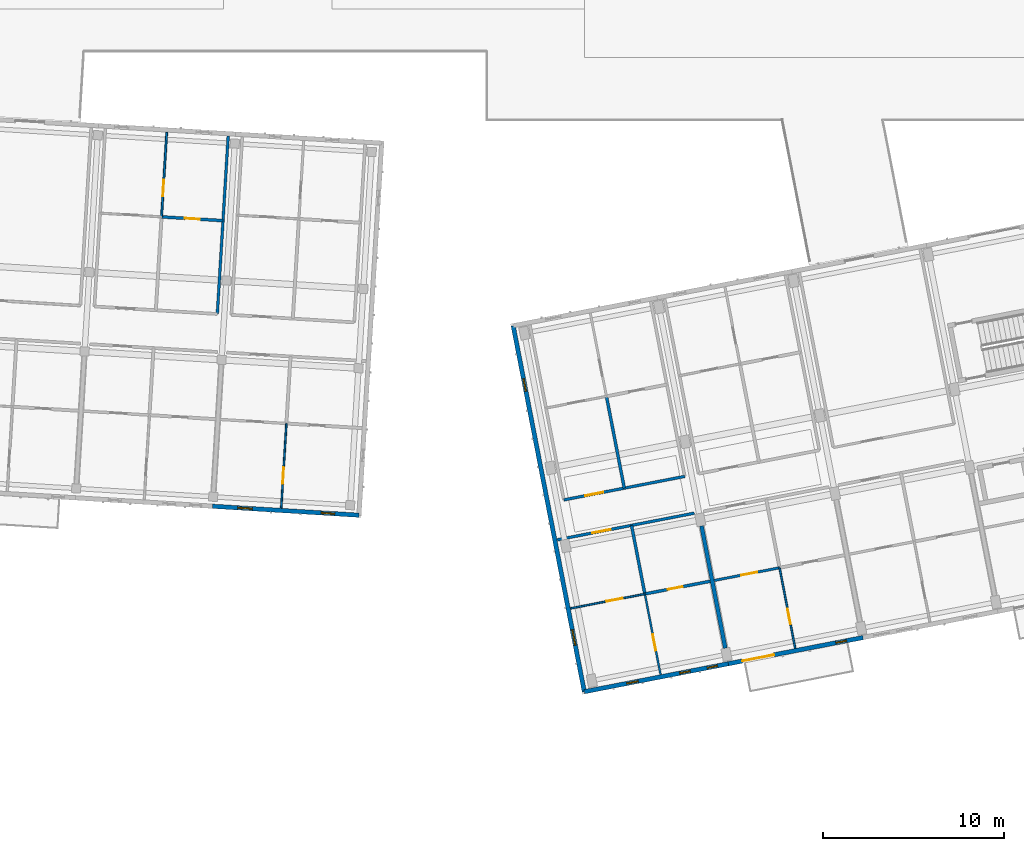
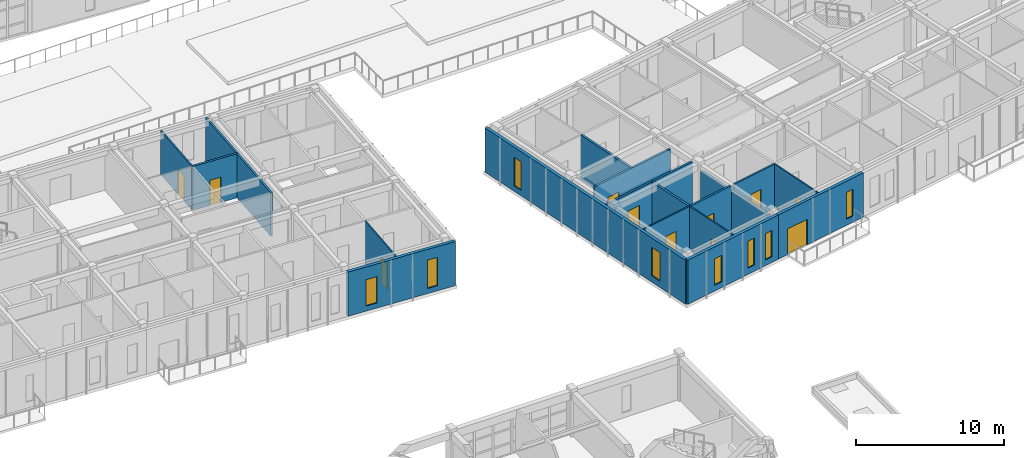
# One storey, part 89 of 150: 18 walls, 11 doors, 8 windows, 19 openings.
"""IFC4 building model written with IfcOpenShell, lengths in metres."""

from ifc_helpers import new_model, si_unit, direction, frame, frame_2d, origin, place, context, subcontext, project, spatial, rectangle, extrude, material, layer, layer_set, type_object, element, fill, save


model = new_model("IFC4")

# Units and contexts
model_context = context("Model", 3, precision=1e-05, world=origin(), true_north=direction((0.0, 1.0)))
body_context = subcontext(model_context, "Body", "Model", "MODEL_VIEW")
ifc_project = project(units=[si_unit("LENGTHUNIT", "METRE"), si_unit("AREAUNIT", "SQUARE_METRE"), si_unit("VOLUMEUNIT", "CUBIC_METRE"), si_unit("PLANEANGLEUNIT", "RADIAN"), si_unit("MASSUNIT", "GRAM", prefix="KILO")], contexts=[model_context])

# Site, building, storey
site_placement = place(None, origin())
site = spatial("IfcSite", under=ifc_project, at=site_placement, CompositionType="ELEMENT")
building_placement = place(site_placement, origin())
building = spatial("IfcBuilding", under=site, at=building_placement, Name="Kestramere Prow Commons", CompositionType="ELEMENT")
storey_placement = place(building_placement, frame((0.0, 0.0, 4.5)))
storey = spatial("IfcBuildingStorey", under=building, at=storey_placement, Name="L01", CompositionType="ELEMENT", Elevation=4.5)

# Wall, openings, windows
ifc_material_1 = material(Name="Fluoropolymer Standing-Seam Zinc-Aluminium Cladding", Category="aluminium")
ifc_layer_1 = layer(ifc_material_1, 0.239990234375)
ifc_layer_set_1 = layer_set([ifc_layer_1], Name="Fluoropolymer Standing-Seam Zinc-Aluminium Cladding")
wall_type_1 = type_object("IfcWallType", Name="EW-SEAM-240", PredefinedType="SOLIDWALL", material=ifc_layer_set_1)
wall_1_placement = place(storey_placement, frame((105.5068359375, 43.16015625, 0.0), z_axis=(0.0, 0.0, 1.0), x_axis=(-0.998134248939, 0.061057522844, 0.0)))
wall_1 = element("IfcWall", 1, at=wall_1_placement, inside=storey, type_object=wall_type_1, Name="Block C L01 South Standing-Seam Wall 6", PredefinedType="SOLIDWALL", context=body_context, shape_type="SweptSolid", body=[
    extrude(rectangle(XDim=8.125, YDim=0.239990234375, at=frame_2d((4.0625, 0.0))), origin(), (0.0, 0.0, 1.0), 3.64990234375),
])
opening_1_placement = place(wall_1_placement, frame((1.345458984375, 0.0, 0.419921875)))
opening_1 = element("IfcOpeningElement", 2, at=opening_1_placement, cuts=wall_1, Name="Opening WN-10", PredefinedType="OPENING", context=body_context, shape_type="SweptSolid", body=[
    extrude(rectangle(XDim=0.760009765625, YDim=2.340087890625, at=frame_2d((0.3798828125, 1.169921875))), frame((0.0, 0.135009765625, 0.0), z_axis=(0.0, -1.0, 0.0), x_axis=(1.0, 0.0, 0.0)), (0.0, 0.0, 1.0), 0.27001953125),
])
opening_2_placement = place(wall_1_placement, frame((5.918701171875, 0.0, 0.419921875)))
opening_2 = element("IfcOpeningElement", 3, at=opening_2_placement, cuts=wall_1, Name="Opening WN-13", PredefinedType="OPENING", context=body_context, shape_type="SweptSolid", body=[
    extrude(rectangle(XDim=0.820068359375, YDim=2.179931640625, at=frame_2d((0.41015625, 1.08984375))), frame((0.0, 0.135009765625, 0.0), z_axis=(0.0, -1.0, 0.0), x_axis=(1.0, 0.0, 0.0)), (0.0, 0.0, 1.0), 0.27001953125),
])
ifc_material_2 = material(Name="Low-E Laminated Double Glazing", Category="glass")
window_type_1 = type_object("IfcWindowType", Name="WN-NAR-760A", PartitioningType="SINGLE_PANEL", PredefinedType="WINDOW", material=ifc_material_2)
window_1_placement = place(opening_1_placement, origin())
window_1 = element("IfcWindow", 4, at=window_1_placement, inside=storey, type_object=window_type_1, Name="WN-C-L01-S-5-00", OverallHeight=2.340087890625, OverallWidth=0.760009765625, PartitioningType="SINGLE_PANEL", PredefinedType="WINDOW", context=body_context, shape_type="SweptSolid", body=[
    extrude(rectangle(XDim=0.760009765625, YDim=2.340087890625, at=frame_2d((0.3798828125, 1.169921875))), frame((0.0, 0.030029296875, 0.0), z_axis=(0.0, -1.0, 0.0), x_axis=(1.0, 0.0, 0.0)), (0.0, 0.0, 1.0), 0.06005859375),
])
fill(opening_1, window_1)
window_type_2 = type_object("IfcWindowType", Name="WN-NAR-820A", PartitioningType="DOUBLE_PANEL_VERTICAL", PredefinedType="WINDOW", material=ifc_material_2)
window_2_placement = place(opening_2_placement, origin())
window_2 = element("IfcWindow", 5, at=window_2_placement, inside=storey, type_object=window_type_2, Name="WN-C-L01-S-5-10", OverallHeight=2.179931640625, OverallWidth=0.820068359375, PartitioningType="SINGLE_PANEL", PredefinedType="WINDOW", context=body_context, shape_type="SweptSolid", body=[
    extrude(rectangle(XDim=0.820068359375, YDim=2.179931640625, at=frame_2d((0.41015625, 1.08984375))), frame((0.0, 0.030029296875, 0.0), z_axis=(0.0, -1.0, 0.0), x_axis=(1.0, 0.0, 0.0)), (0.0, 0.0, 1.0), 0.06005859375),
])
fill(opening_2, window_2)

wall_2_placement = place(storey_placement, frame((125.96044921875, 34.934814453125, 0.0), z_axis=(0.0, 0.0, 1.0), x_axis=(-0.981627273155, -0.190808533872, 0.0)))
wall_2 = element("IfcWall", 6, at=wall_2_placement, inside=storey, type_object=wall_type_1, Name="Block D L01 South Standing-Seam Wall 1", PredefinedType="SOLIDWALL", context=body_context, shape_type="SweptSolid", body=[
    extrude(rectangle(XDim=8.124755859375, YDim=0.239990234375, at=frame_2d((4.0625, 0.0))), origin(), (0.0, 0.0, 1.0), 3.64990234375),
])
opening_3_placement = place(wall_2_placement, frame((0.610107421875, 0.0, 0.47998046875)))
opening_3 = element("IfcOpeningElement", 7, at=opening_3_placement, cuts=wall_2, Name="Opening WN-01", PredefinedType="OPENING", context=body_context, shape_type="SweptSolid", body=[
    extrude(rectangle(XDim=0.580078125, YDim=2.159912109375, at=frame_2d((0.2900390625, 1.080078125))), frame((0.0, 0.135009765625, 0.0), z_axis=(0.0, -1.0, 0.0), x_axis=(1.0, 0.0, 0.0)), (0.0, 0.0, 1.0), 0.27001953125),
])
opening_4_placement = place(wall_2_placement, frame((2.152099609375, 0.0, 0.52001953125)))
opening_4 = element("IfcOpeningElement", 8, at=opening_4_placement, cuts=wall_2, Name="Opening WN-02", PredefinedType="OPENING", context=body_context, shape_type="SweptSolid", body=[
    extrude(rectangle(XDim=0.60009765625, YDim=2.219970703125, at=frame_2d((0.300048828125, 1.10986328125))), frame((0.0, 0.135009765625, 0.0), z_axis=(0.0, -1.0, 0.0), x_axis=(1.0, 0.0, 0.0)), (0.0, 0.0, 1.0), 0.27001953125),
])
opening_5_placement = place(wall_2_placement, frame((5.080078125, 0.0, 0.47998046875)))
opening_5 = element("IfcOpeningElement", 9, at=opening_5_placement, cuts=wall_2, Name="Opening WN-04", PredefinedType="OPENING", context=body_context, shape_type="SweptSolid", body=[
    extrude(rectangle(XDim=0.639892578125, YDim=2.179931640625, at=frame_2d((0.31982421875, 1.08984375))), frame((0.0, 0.135009765625, 0.0), z_axis=(0.0, -1.0, 0.0), x_axis=(1.0, 0.0, 0.0)), (0.0, 0.0, 1.0), 0.27001953125),
])
window_type_3 = type_object("IfcWindowType", Name="WN-NAR-580A", PartitioningType="SINGLE_PANEL", PredefinedType="WINDOW", material=ifc_material_2)
window_3_placement = place(opening_3_placement, origin())
window_3 = element("IfcWindow", 10, at=window_3_placement, inside=storey, type_object=window_type_3, Name="WN-D-L01-S-0-00", OverallHeight=2.159912109375, OverallWidth=0.580078125, PartitioningType="SINGLE_PANEL", PredefinedType="WINDOW", context=body_context, shape_type="SweptSolid", body=[
    extrude(rectangle(XDim=0.580078125, YDim=2.159912109375, at=frame_2d((0.2900390625, 1.080078125))), frame((0.0, 0.030029296875, 0.0), z_axis=(0.0, -1.0, 0.0), x_axis=(1.0, 0.0, 0.0)), (0.0, 0.0, 1.0), 0.06005859375),
])
fill(opening_3, window_3)
window_type_4 = type_object("IfcWindowType", Name="WN-NAR-600A", PartitioningType="SINGLE_PANEL", PredefinedType="WINDOW", material=ifc_material_2)
window_4_placement = place(opening_4_placement, origin())
window_4 = element("IfcWindow", 11, at=window_4_placement, inside=storey, type_object=window_type_4, Name="WN-D-L01-S-0-01", OverallHeight=2.219970703125, OverallWidth=0.60009765625, PartitioningType="SINGLE_PANEL", PredefinedType="WINDOW", context=body_context, shape_type="SweptSolid", body=[
    extrude(rectangle(XDim=0.60009765625, YDim=2.219970703125, at=frame_2d((0.300048828125, 1.10986328125))), frame((0.0, 0.030029296875, 0.0), z_axis=(0.0, -1.0, 0.0), x_axis=(1.0, 0.0, 0.0)), (0.0, 0.0, 1.0), 0.06005859375),
])
fill(opening_4, window_4)
window_type_5 = type_object("IfcWindowType", Name="WN-NAR-640A", PartitioningType="SINGLE_PANEL", PredefinedType="WINDOW", material=ifc_material_2)
window_5_placement = place(opening_5_placement, origin())
window_5 = element("IfcWindow", 12, at=window_5_placement, inside=storey, type_object=window_type_5, Name="WN-D-L01-S-0-10", OverallHeight=2.179931640625, OverallWidth=0.639892578125, PartitioningType="SINGLE_PANEL", PredefinedType="WINDOW", context=body_context, shape_type="SweptSolid", body=[
    extrude(rectangle(XDim=0.639892578125, YDim=2.179931640625, at=frame_2d((0.31982421875, 1.08984375))), frame((0.0, 0.030029296875, 0.0), z_axis=(0.0, -1.0, 0.0), x_axis=(1.0, 0.0, 0.0)), (0.0, 0.0, 1.0), 0.06005859375),
])
fill(opening_5, window_5)

# Wall, openings, door, window
wall_3_placement = place(storey_placement, frame((133.4208984375, 36.385009765625, 0.0), z_axis=(0.0, 0.0, 1.0), x_axis=(-0.981626422232, -0.190812911449, 0.0)))
wall_3 = element("IfcWall", 13, at=wall_3_placement, inside=storey, type_object=wall_type_1, Name="Block D L01 South Standing-Seam Wall 2", PredefinedType="SOLIDWALL", context=body_context, shape_type="SweptSolid", body=[
    extrude(rectangle(XDim=7.60009765625, YDim=0.239990234375, at=frame_2d((3.800048828125, 0.0))), origin(), (0.0, 0.0, 1.0), 3.64990234375),
])
opening_6_placement = place(wall_3_placement, frame((5.01904296875, 0.0, 0.0)))
opening_6 = element("IfcOpeningElement", 14, at=opening_6_placement, cuts=wall_3, Name="Opening GD-BAL-02", PredefinedType="OPENING", context=body_context, shape_type="SweptSolid", body=[
    extrude(rectangle(XDim=1.800048828125, YDim=2.1201171875, at=frame_2d((0.89990234375, 1.06005859375))), frame((0.0, 0.135009765625, 0.0), z_axis=(0.0, -1.0, 0.0), x_axis=(1.0, 0.0, 0.0)), (0.0, 0.0, 1.0), 0.27001953125),
])
opening_7_placement = place(wall_3_placement, frame((0.929931640625, 0.0, 0.5)))
opening_7 = element("IfcOpeningElement", 15, at=opening_7_placement, cuts=wall_3, Name="Opening WN-02", PredefinedType="OPENING", context=body_context, shape_type="SweptSolid", body=[
    extrude(rectangle(XDim=0.60009765625, YDim=2.219970703125, at=frame_2d((0.300048828125, 1.10986328125))), frame((0.0, 0.135009765625, 0.0), z_axis=(0.0, -1.0, 0.0), x_axis=(1.0, 0.0, 0.0)), (0.0, 0.0, 1.0), 0.27001953125),
])
ifc_material_3 = material(Name="Thermally-Broken Anodised Aluminium Glazed", Category="aluminium")
door_type_1 = type_object("IfcDoorType", Name="GD-BAL-1800", OperationType="SLIDING_TO_LEFT", PredefinedType="DOOR", material=ifc_material_3)
door_1_placement = place(opening_6_placement, origin())
door_1 = element("IfcDoor", 16, at=door_1_placement, inside=storey, type_object=door_type_1, Name="Block D L01 Balcony Door 2", OperationType="SLIDING_TO_LEFT", OverallHeight=2.1201171875, OverallWidth=1.800048828125, PredefinedType="DOOR", context=body_context, shape_type="SweptSolid", body=[
    extrude(rectangle(XDim=1.800048828125, YDim=2.1201171875, at=frame_2d((0.89990234375, 1.06005859375))), frame((0.0, 0.02490234375, 0.0), z_axis=(0.0, -1.0, 0.0), x_axis=(1.0, 0.0, 0.0)), (0.0, 0.0, 1.0), 0.050048828125),
])
fill(opening_6, door_1)
window_6_placement = place(opening_7_placement, origin())
window_6 = element("IfcWindow", 17, at=window_6_placement, inside=storey, type_object=window_type_4, Name="WN-D-L01-SR-1", OverallHeight=2.219970703125, OverallWidth=0.60009765625, PartitioningType="SINGLE_PANEL", PredefinedType="WINDOW", context=body_context, shape_type="SweptSolid", body=[
    extrude(rectangle(XDim=0.60009765625, YDim=2.219970703125, at=frame_2d((0.300048828125, 1.10986328125))), frame((0.0, 0.030029296875, 0.0), z_axis=(0.0, -1.0, 0.0), x_axis=(1.0, 0.0, 0.0)), (0.0, 0.0, 1.0), 0.06005859375),
])
fill(opening_7, window_6)

# Wall, openings, windows
wall_4_placement = place(storey_placement, frame((117.98486328125, 33.384521484375, 0.0), z_axis=(0.0, 0.0, 1.0), x_axis=(-0.190808900739, 0.981627201843, 0.0)))
wall_4 = element("IfcWall", 18, at=wall_4_placement, inside=storey, type_object=wall_type_1, Name="Block D L01 EAV Facet Wall", PredefinedType="SOLIDWALL", context=body_context, shape_type="SweptSolid", body=[
    extrude(rectangle(XDim=20.64990234375, YDim=0.239990234375, at=frame_2d((10.324951171875, 0.0))), origin(), (0.0, 0.0, 1.0), 3.64990234375),
])
opening_8_placement = place(wall_4_placement, frame((2.6298828125, 0.0, 0.52001953125)))
opening_8 = element("IfcOpeningElement", 19, at=opening_8_placement, cuts=wall_4, Name="Opening WN-15", PredefinedType="OPENING", context=body_context, shape_type="SweptSolid", body=[
    extrude(rectangle(XDim=0.860107421875, YDim=2.360107421875, at=frame_2d((0.43017578125, 1.18017578125))), frame((0.0, 0.135009765625, 0.0), z_axis=(0.0, -1.0, 0.0), x_axis=(1.0, 0.0, 0.0)), (0.0, 0.0, 1.0), 0.27001953125),
])
opening_9_placement = place(wall_4_placement, frame((16.9599609375, 0.0, 0.449951171875)))
opening_9 = element("IfcOpeningElement", 20, at=opening_9_placement, cuts=wall_4, Name="Opening WN-07", PredefinedType="OPENING", context=body_context, shape_type="SweptSolid", body=[
    extrude(rectangle(XDim=0.699951171875, YDim=2.360107421875, at=frame_2d((0.35009765625, 1.18017578125))), frame((0.0, 0.135009765625, 0.0), z_axis=(0.0, -1.0, 0.0), x_axis=(1.0, 0.0, 0.0)), (0.0, 0.0, 1.0), 0.27001953125),
])
window_type_6 = type_object("IfcWindowType", Name="WN-NAR-700A", PartitioningType="SINGLE_PANEL", PredefinedType="WINDOW", material=ifc_material_2)
window_7_placement = place(opening_9_placement, origin())
window_7 = element("IfcWindow", 21, at=window_7_placement, inside=storey, type_object=window_type_6, Name="WN-D-L01-EAV-1", OverallHeight=2.360107421875, OverallWidth=0.699951171875, PartitioningType="SINGLE_PANEL", PredefinedType="WINDOW", context=body_context, shape_type="SweptSolid", body=[
    extrude(rectangle(XDim=0.699951171875, YDim=2.360107421875, at=frame_2d((0.35009765625, 1.18017578125))), frame((0.0, 0.030029296875, 0.0), z_axis=(0.0, -1.0, 0.0), x_axis=(1.0, 0.0, 0.0)), (0.0, 0.0, 1.0), 0.06005859375),
])
fill(opening_9, window_7)
window_type_7 = type_object("IfcWindowType", Name="WN-NAR-860A", PartitioningType="DOUBLE_PANEL_VERTICAL", PredefinedType="WINDOW", material=ifc_material_2)
window_8_placement = place(opening_8_placement, origin())
window_8 = element("IfcWindow", 22, at=window_8_placement, inside=storey, type_object=window_type_7, Name="WN-D-L01-EAV-0", OverallHeight=2.360107421875, OverallWidth=0.860107421875, PartitioningType="SINGLE_PANEL", PredefinedType="WINDOW", context=body_context, shape_type="SweptSolid", body=[
    extrude(rectangle(XDim=0.860107421875, YDim=2.360107421875, at=frame_2d((0.43017578125, 1.18017578125))), frame((0.0, 0.030029296875, 0.0), z_axis=(0.0, -1.0, 0.0), x_axis=(1.0, 0.0, 0.0)), (0.0, 0.0, 1.0), 0.06005859375),
])
fill(opening_8, window_8)

# Wall, opening, door
ifc_material_4 = material(Name="Fire-Rated Calcium Silicate Wall")
ifc_layer_2 = layer(ifc_material_4, 0.155029296875)
ifc_layer_set_2 = layer_set([ifc_layer_2], Name="Fire-Rated Calcium Silicate Wall")
wall_type_2 = type_object("IfcWallType", Name="W-FIRE-150", PredefinedType="PARTITIONING", material=ifc_layer_set_2)
wall_5_placement = place(storey_placement, frame((116.48193359375, 41.79736328125, 0.0), z_axis=(0.0, 0.0, 1.0), x_axis=(0.981629678105, 0.190796161028, 0.0)))
wall_5 = element("IfcWall", 23, at=wall_5_placement, inside=storey, type_object=wall_type_2, Name="Interior Partition PW-D-L01-CS-0", PredefinedType="PARTITIONING", context=body_context, shape_type="SweptSolid", body=[
    extrude(rectangle(XDim=7.735107421875, YDim=0.155029296875, at=frame_2d((3.86767578125, 0.0))), origin(), (0.0, 0.0, 1.0), 3.6201171875),
])
opening_10_placement = place(wall_5_placement, frame((1.985107421875, 0.0, 0.0)))
opening_10 = element("IfcOpeningElement", 24, at=opening_10_placement, cuts=wall_5, Name="Opening ID-05", PredefinedType="OPENING", context=body_context, shape_type="SweptSolid", body=[
    extrude(rectangle(XDim=1.02001953125, YDim=2.199951171875, at=frame_2d((0.510009765625, 1.10009765625))), frame((0.0, 0.092529296875, 0.0), z_axis=(0.0, -1.0, 0.0), x_axis=(1.0, 0.0, 0.0)), (0.0, 0.0, 1.0), 0.18505859375),
])
ifc_material_5 = material(Name="Hardwood Fire-Rated Flat Entrance Door", Category="wood")
door_type_2 = type_object("IfcDoorType", Name="FD-ENT-02", OperationType="NOTDEFINED", PredefinedType="DOOR", material=ifc_material_5)
door_2_placement = place(opening_10_placement, origin())
door_2 = element("IfcDoor", 25, at=door_2_placement, inside=storey, type_object=door_type_2, Name="Interior Door DR-D-L01-ENT-S0", OperationType="SINGLE_SWING_RIGHT", OverallHeight=2.199951171875, OverallWidth=1.02001953125, PredefinedType="DOOR", context=body_context, shape_type="SweptSolid", body=[
    extrude(rectangle(XDim=1.02001953125, YDim=2.199951171875, at=frame_2d((0.510009765625, 1.10009765625))), frame((0.0, 0.02490234375, 0.0), z_axis=(0.0, -1.0, 0.0), x_axis=(1.0, 0.0, 0.0)), (0.0, 0.0, 1.0), 0.050048828125),
])
fill(opening_10, door_2)

wall_6_placement = place(storey_placement, frame((116.851806640625, 44.008544921875, 0.0), z_axis=(0.0, 0.0, 1.0), x_axis=(0.981629173664, 0.190798756314, 0.0)))
wall_6 = element("IfcWall", 26, at=wall_6_placement, inside=storey, type_object=wall_type_2, Name="Interior Partition PW-D-L01-CN-0", PredefinedType="PARTITIONING", context=body_context, shape_type="SweptSolid", body=[
    extrude(rectangle(XDim=6.820068359375, YDim=0.155029296875, at=frame_2d((3.41015625, 0.0))), origin(), (0.0, 0.0, 1.0), 3.6201171875),
])
opening_11_placement = place(wall_6_placement, frame((1.205078125, 0.0, 0.0)))
opening_11 = element("IfcOpeningElement", 27, at=opening_11_placement, cuts=wall_6, Name="Opening ID-05", PredefinedType="OPENING", context=body_context, shape_type="SweptSolid", body=[
    extrude(rectangle(XDim=1.02001953125, YDim=2.199951171875, at=frame_2d((0.510009765625, 1.10009765625))), frame((0.0, 0.092529296875, 0.0), z_axis=(0.0, -1.0, 0.0), x_axis=(1.0, 0.0, 0.0)), (0.0, 0.0, 1.0), 0.18505859375),
])
door_3_placement = place(opening_11_placement, origin())
door_3 = element("IfcDoor", 28, at=door_3_placement, inside=storey, type_object=door_type_2, Name="Interior Door DR-D-L01-ENT-N0", OperationType="SINGLE_SWING_RIGHT", OverallHeight=2.199951171875, OverallWidth=1.02001953125, PredefinedType="DOOR", context=body_context, shape_type="SweptSolid", body=[
    extrude(rectangle(XDim=1.02001953125, YDim=2.199951171875, at=frame_2d((0.510009765625, 1.10009765625))), frame((0.0, 0.02490234375, 0.0), z_axis=(0.0, -1.0, 0.0), x_axis=(1.0, 0.0, 0.0)), (0.0, 0.0, 1.0), 0.050048828125),
])
fill(opening_11, door_3)

ifc_material_6 = material(Name="Gypsum Acoustic Drywall")
ifc_layer_3 = layer(ifc_material_6, 0.10009765625)
ifc_layer_set_3 = layer_set([ifc_layer_3], Name="Gypsum Acoustic Drywall")
wall_type_3 = type_object("IfcWallType", Name="W-PART-100", PredefinedType="PARTITIONING", material=ifc_layer_set_3)
wall_7_placement = place(storey_placement, frame((129.6650390625, 35.79248046875, 0.0), z_axis=(0.0, 0.0, 1.0), x_axis=(-0.190849508215, 0.981619307682, 0.0)))
wall_7 = element("IfcWall", 29, at=wall_7_placement, inside=storey, type_object=wall_type_3, Name="Interior Partition PW-D-L01-LB-S1", PredefinedType="PARTITIONING", context=body_context, shape_type="SweptSolid", body=[
    extrude(rectangle(XDim=4.5400390625, YDim=0.10009765625, at=frame_2d((2.27001953125, 0.0))), origin(), (0.0, 0.0, 1.0), 3.6201171875),
])
opening_12_placement = place(wall_7_placement, frame((1.35009765625, 0.0, 0.0)))
opening_12 = element("IfcOpeningElement", 30, at=opening_12_placement, cuts=wall_7, Name="Opening ID-10", PredefinedType="OPENING", context=body_context, shape_type="SweptSolid", body=[
    extrude(rectangle(XDim=0.8798828125, YDim=2.10009765625, at=frame_2d((0.43994140625, 1.050048828125))), frame((0.0, 0.06494140625, 0.0), z_axis=(0.0, -1.0, 0.0), x_axis=(1.0, 0.0, 0.0)), (0.0, 0.0, 1.0), 0.130126953125),
])
ifc_material_7 = material(Name="Engineered Timber Bedroom Door", Category="wood")
door_type_3 = type_object("IfcDoorType", Name="D-RM-03", OperationType="NOTDEFINED", PredefinedType="DOOR", material=ifc_material_7)
door_4_placement = place(opening_12_placement, origin())
door_4 = element("IfcDoor", 31, at=door_4_placement, inside=storey, type_object=door_type_3, Name="Interior Door DR-D-L01-BED-S1", OperationType="SINGLE_SWING_RIGHT", OverallHeight=2.10009765625, OverallWidth=0.8798828125, PredefinedType="DOOR", context=body_context, shape_type="SweptSolid", body=[
    extrude(rectangle(XDim=0.8798828125, YDim=2.10009765625, at=frame_2d((0.43994140625, 1.050048828125))), frame((0.0, 0.02490234375, 0.0), z_axis=(0.0, -1.0, 0.0), x_axis=(1.0, 0.0, 0.0)), (0.0, 0.0, 1.0), 0.050048828125),
])
fill(opening_12, door_4)

ifc_layer_4 = layer(ifc_material_6, 0.110107421875)
ifc_layer_set_4 = layer_set([ifc_layer_4], Name="Gypsum Acoustic Drywall")
wall_type_4 = type_object("IfcWallType", Name="W-PART-110", PredefinedType="PARTITIONING", material=ifc_layer_set_4)
wall_8_placement = place(storey_placement, frame((94.5703125, 59.68359375, 0.0), z_axis=(0.0, 0.0, 1.0), x_axis=(0.061062434628, 0.998133948465, 0.0)))
wall_8 = element("IfcWall", 32, at=wall_8_placement, inside=storey, type_object=wall_type_4, Name="Interior Partition PW-C-L01-LB-N4", PredefinedType="PARTITIONING", context=body_context, shape_type="SweptSolid", body=[
    extrude(rectangle(XDim=4.68994140625, YDim=0.110107421875, at=frame_2d((2.344970703125, 0.0))), origin(), (0.0, 0.0, 1.0), 3.6201171875),
])
opening_13_placement = place(wall_8_placement, frame((1.14990234375, 0.0, 0.0)))
opening_13 = element("IfcOpeningElement", 33, at=opening_13_placement, cuts=wall_8, Name="Opening ID-08", PredefinedType="OPENING", context=body_context, shape_type="SweptSolid", body=[
    extrude(rectangle(XDim=0.89990234375, YDim=2.10009765625, at=frame_2d((0.449951171875, 1.050048828125))), frame((0.0, 0.070068359375, 0.0), z_axis=(0.0, -1.0, 0.0), x_axis=(1.0, 0.0, 0.0)), (0.0, 0.0, 1.0), 0.14013671875),
])
ifc_material_8 = material(Name="Engineered Timber Flush Door", Category="wood")
door_type_4 = type_object("IfcDoorType", Name="D-RM-01", OperationType="NOTDEFINED", PredefinedType="DOOR", material=ifc_material_8)
door_5_placement = place(opening_13_placement, origin())
door_5 = element("IfcDoor", 34, at=door_5_placement, inside=storey, type_object=door_type_4, Name="Interior Door DR-C-L01-BED-N4", OperationType="SINGLE_SWING_LEFT", OverallHeight=2.10009765625, OverallWidth=0.89990234375, PredefinedType="DOOR", context=body_context, shape_type="SweptSolid", body=[
    extrude(rectangle(XDim=0.89990234375, YDim=2.10009765625, at=frame_2d((0.449951171875, 1.050048828125))), frame((0.0, 0.02490234375, 0.0), z_axis=(0.0, -1.0, 0.0), x_axis=(1.0, 0.0, 0.0)), (0.0, 0.0, 1.0), 0.050048828125),
])
fill(opening_13, door_5)

wall_9_placement = place(storey_placement, frame((122.20458984375, 34.34228515625, 0.0), z_axis=(0.0, 0.0, 1.0), x_axis=(-0.190797690541, 0.981629380817, 0.0)))
wall_9 = element("IfcWall", 35, at=wall_9_placement, inside=storey, type_object=wall_type_4, Name="Interior Partition PW-D-L01-LB-S0", PredefinedType="PARTITIONING", context=body_context, shape_type="SweptSolid", body=[
    extrude(rectangle(XDim=4.5400390625, YDim=0.110107421875, at=frame_2d((2.27001953125, 0.0))), origin(), (0.0, 0.0, 1.0), 3.6201171875),
])
opening_14_placement = place(wall_9_placement, frame((1.35009765625, 0.0, 0.0)))
opening_14 = element("IfcOpeningElement", 36, at=opening_14_placement, cuts=wall_9, Name="Opening ID-08", PredefinedType="OPENING", context=body_context, shape_type="SweptSolid", body=[
    extrude(rectangle(XDim=0.89990234375, YDim=2.10009765625, at=frame_2d((0.449951171875, 1.050048828125))), frame((0.0, 0.070068359375, 0.0), z_axis=(0.0, -1.0, 0.0), x_axis=(1.0, 0.0, 0.0)), (0.0, 0.0, 1.0), 0.14013671875),
])
door_6_placement = place(opening_14_placement, origin())
door_6 = element("IfcDoor", 37, at=door_6_placement, inside=storey, type_object=door_type_4, Name="Interior Door DR-D-L01-BED-S0", OperationType="SINGLE_SWING_LEFT", OverallHeight=2.10009765625, OverallWidth=0.89990234375, PredefinedType="DOOR", context=body_context, shape_type="SweptSolid", body=[
    extrude(rectangle(XDim=0.89990234375, YDim=2.10009765625, at=frame_2d((0.449951171875, 1.050048828125))), frame((0.0, 0.02490234375, 0.0), z_axis=(0.0, -1.0, 0.0), x_axis=(1.0, 0.0, 0.0)), (0.0, 0.0, 1.0), 0.050048828125),
])
fill(opening_14, door_6)

ifc_material_9 = material(Name="Masonry Compartment Wall", Category="masonry")
ifc_layer_5 = layer(ifc_material_9, 0.139892578125)
ifc_layer_set_5 = layer_set([ifc_layer_5], Name="Masonry Compartment Wall")
wall_type_5 = type_object("IfcWallType", Name="W-PART-140", PredefinedType="PARTITIONING", material=ifc_layer_set_5)
wall_10_placement = place(storey_placement, frame((125.181396484375, 39.5458984375, 0.0), z_axis=(0.0, 0.0, 1.0), x_axis=(0.981626422232, 0.190812911449, 0.0)))
wall_10 = element("IfcWall", 38, at=wall_10_placement, inside=storey, type_object=wall_type_5, Name="Interior Partition PW-D-L01-MIDS1-1", PredefinedType="PARTITIONING", context=body_context, shape_type="SweptSolid", body=[
    extrude(rectangle(XDim=3.684814453125, YDim=0.139892578125, at=frame_2d((1.84228515625, 0.0))), origin(), (0.0, 0.0, 1.0), 3.6201171875),
])
opening_15_placement = place(wall_10_placement, frame((1.52490234375, 0.0, 0.0)))
opening_15 = element("IfcOpeningElement", 39, at=opening_15_placement, cuts=wall_10, Name="Opening ID-08", PredefinedType="OPENING", context=body_context, shape_type="SweptSolid", body=[
    extrude(rectangle(XDim=0.89990234375, YDim=2.10009765625, at=frame_2d((0.449951171875, 1.050048828125))), frame((0.0, 0.0849609375, 0.0), z_axis=(0.0, -1.0, 0.0), x_axis=(1.0, 0.0, 0.0)), (0.0, 0.0, 1.0), 0.169921875),
])
door_7_placement = place(opening_15_placement, origin())
door_7 = element("IfcDoor", 40, at=door_7_placement, inside=storey, type_object=door_type_4, Name="Interior Door DR-D-L01-KL-S1", OperationType="SINGLE_SWING_RIGHT", OverallHeight=2.10009765625, OverallWidth=0.89990234375, PredefinedType="DOOR", context=body_context, shape_type="SweptSolid", body=[
    extrude(rectangle(XDim=0.89990234375, YDim=2.10009765625, at=frame_2d((0.449951171875, 1.050048828125))), frame((0.0, 0.02490234375, 0.0), z_axis=(0.0, -1.0, 0.0), x_axis=(1.0, 0.0, 0.0)), (0.0, 0.0, 1.0), 0.050048828125),
])
fill(opening_15, door_7)

# Wall
ifc_layer_6 = layer(ifc_material_9, 0.14990234375)
ifc_layer_set_6 = layer_set([ifc_layer_6], Name="Masonry Compartment Wall")
wall_type_6 = type_object("IfcWallType", Name="W-PART-150", PredefinedType="PARTITIONING", material=ifc_layer_set_6)
wall_11_placement = place(storey_placement, frame((97.65771484375, 54.30517578125, 0.0), z_axis=(0.0, 0.0, 1.0), x_axis=(0.061047700465, 0.998134849741, 0.0)))
element("IfcWall", 41, at=wall_11_placement, inside=storey, type_object=wall_type_6, Name="Interior Partition PW-C-L01-NWR-4", PredefinedType="PARTITIONING", context=body_context, shape_type="SweptSolid", body=[
    extrude(rectangle(XDim=9.869873046875, YDim=0.14990234375, at=frame_2d((4.93505859375, 0.0))), origin(), (0.0, 0.0, 1.0), 3.6201171875),
])

# Wall, opening, door
ifc_layer_7 = layer(ifc_material_6, 0.094970703125)
ifc_layer_set_7 = layer_set([ifc_layer_7], Name="Gypsum Acoustic Drywall")
wall_type_7 = type_object("IfcWallType", Name="W-PART-95", PredefinedType="PARTITIONING", material=ifc_layer_set_7)
wall_12_placement = place(storey_placement, frame((101.1982421875, 43.558837890625, 0.0), z_axis=(0.0, 0.0, 1.0), x_axis=(0.061059262019, 0.998134142549, 0.0)))
wall_12 = element("IfcWall", 42, at=wall_12_placement, inside=storey, type_object=wall_type_7, Name="Interior Partition PW-C-L01-LB-S5", PredefinedType="PARTITIONING", context=body_context, shape_type="SweptSolid", body=[
    extrude(rectangle(XDim=4.690185546875, YDim=0.094970703125, at=frame_2d((2.34521484375, 0.0))), origin(), (0.0, 0.0, 1.0), 3.6201171875),
])
opening_16_placement = place(wall_12_placement, frame((1.35009765625, 0.0, 0.0)))
opening_16 = element("IfcOpeningElement", 43, at=opening_16_placement, cuts=wall_12, Name="Opening ID-08", PredefinedType="OPENING", context=body_context, shape_type="SweptSolid", body=[
    extrude(rectangle(XDim=0.89990234375, YDim=2.10009765625, at=frame_2d((0.449951171875, 1.050048828125))), frame((0.0, 0.0625, 0.0), z_axis=(0.0, -1.0, 0.0), x_axis=(1.0, 0.0, 0.0)), (0.0, 0.0, 1.0), 0.125),
])
door_8_placement = place(opening_16_placement, origin())
door_8 = element("IfcDoor", 44, at=door_8_placement, inside=storey, type_object=door_type_4, Name="Interior Door DR-C-L01-BED-S5", OperationType="SINGLE_SWING_RIGHT", OverallHeight=2.10009765625, OverallWidth=0.89990234375, PredefinedType="DOOR", context=body_context, shape_type="SweptSolid", body=[
    extrude(rectangle(XDim=0.89990234375, YDim=2.10009765625, at=frame_2d((0.449951171875, 1.050048828125))), frame((0.0, 0.02490234375, 0.0), z_axis=(0.0, -1.0, 0.0), x_axis=(1.0, 0.0, 0.0)), (0.0, 0.0, 1.0), 0.050048828125),
])
fill(opening_16, door_8)

wall_13_placement = place(storey_placement, frame((117.220458984375, 37.998291015625, 0.0), z_axis=(0.0, 0.0, 1.0), x_axis=(0.981622961106, 0.19083071616, 0.0)))
wall_13 = element("IfcWall", 45, at=wall_13_placement, inside=storey, type_object=wall_type_7, Name="Interior Partition PW-D-L01-MIDS1-0", PredefinedType="PARTITIONING", context=body_context, shape_type="SweptSolid", body=[
    extrude(rectangle(XDim=4.195068359375, YDim=0.094970703125, at=frame_2d((2.09765625, 0.0))), origin(), (0.0, 0.0, 1.0), 3.6201171875),
])
opening_17_placement = place(wall_13_placement, frame((2.034912109375, 0.0, 0.0)))
opening_17 = element("IfcOpeningElement", 46, at=opening_17_placement, cuts=wall_13, Name="Opening ID-08", PredefinedType="OPENING", context=body_context, shape_type="SweptSolid", body=[
    extrude(rectangle(XDim=0.89990234375, YDim=2.10009765625, at=frame_2d((0.449951171875, 1.050048828125))), frame((0.0, 0.0625, 0.0), z_axis=(0.0, -1.0, 0.0), x_axis=(1.0, 0.0, 0.0)), (0.0, 0.0, 1.0), 0.125),
])
door_9_placement = place(opening_17_placement, origin())
door_9 = element("IfcDoor", 47, at=door_9_placement, inside=storey, type_object=door_type_4, Name="Interior Door DR-D-L01-KL-S0", OperationType="SINGLE_SWING_RIGHT", OverallHeight=2.10009765625, OverallWidth=0.89990234375, PredefinedType="DOOR", context=body_context, shape_type="SweptSolid", body=[
    extrude(rectangle(XDim=0.89990234375, YDim=2.10009765625, at=frame_2d((0.449951171875, 1.050048828125))), frame((0.0, 0.02490234375, 0.0), z_axis=(0.0, -1.0, 0.0), x_axis=(1.0, 0.0, 0.0)), (0.0, 0.0, 1.0), 0.050048828125),
])
fill(opening_17, door_9)

ifc_material_10 = material(Name="Waterproof Sanitary Masonry Wall", Category="masonry")
ifc_layer_8 = layer(ifc_material_10, 0.1650390625)
ifc_layer_set_8 = layer_set([ifc_layer_8], Name="Waterproof Sanitary Masonry Wall")
wall_type_8 = type_object("IfcWallType", Name="W-PLUMB-150", PredefinedType="PLUMBINGWALL", material=ifc_layer_set_8)
wall_14_placement = place(storey_placement, frame((94.5703125, 59.68359375, 0.0), z_axis=(0.0, 0.0, 1.0), x_axis=(0.998133350094, -0.061072214879, 0.0)))
wall_14 = element("IfcWall", 48, at=wall_14_placement, inside=storey, type_object=wall_type_8, Name="Interior Partition PW-C-L01-MIDN2-4", PredefinedType="PLUMBINGWALL", context=body_context, shape_type="SweptSolid", body=[
    extrude(rectangle(XDim=3.409912109375, YDim=0.1650390625, at=frame_2d((1.705078125, 0.0))), origin(), (0.0, 0.0, 1.0), 3.6201171875),
])
opening_18_placement = place(wall_14_placement, frame((1.294921875, 0.0, 0.0)))
opening_18 = element("IfcOpeningElement", 49, at=opening_18_placement, cuts=wall_14, Name="Opening ID-11", PredefinedType="OPENING", context=body_context, shape_type="SweptSolid", body=[
    extrude(rectangle(XDim=0.820068359375, YDim=2.080078125, at=frame_2d((0.41015625, 1.0400390625))), frame((0.0, 0.097412109375, 0.0), z_axis=(0.0, -1.0, 0.0), x_axis=(1.0, 0.0, 0.0)), (0.0, 0.0, 1.0), 0.195068359375),
])
ifc_material_11 = material(Name="Moisture-Resistant Timber Bathroom Door", Category="wood")
door_type_5 = type_object("IfcDoorType", Name="D-BT-01", OperationType="NOTDEFINED", PredefinedType="DOOR", material=ifc_material_11)
door_10_placement = place(opening_18_placement, origin())
door_10 = element("IfcDoor", 50, at=door_10_placement, inside=storey, type_object=door_type_5, Name="Interior Door DR-C-L01-BTH-N4", OperationType="SINGLE_SWING_RIGHT", OverallHeight=2.080078125, OverallWidth=0.820068359375, PredefinedType="DOOR", context=body_context, shape_type="SweptSolid", body=[
    extrude(rectangle(XDim=0.820068359375, YDim=2.080078125, at=frame_2d((0.41015625, 1.0400390625))), frame((0.0, 0.02490234375, 0.0), z_axis=(0.0, -1.0, 0.0), x_axis=(1.0, 0.0, 0.0)), (0.0, 0.0, 1.0), 0.050048828125),
])
fill(opening_18, door_10)

wall_15_placement = place(storey_placement, frame((121.33837890625, 38.798828125, 0.0), z_axis=(0.0, 0.0, 1.0), x_axis=(0.981626422232, 0.190812911449, 0.0)))
wall_15 = element("IfcWall", 51, at=wall_15_placement, inside=storey, type_object=wall_type_8, Name="Interior Partition PW-D-L01-MIDS2-0", PredefinedType="PLUMBINGWALL", context=body_context, shape_type="SweptSolid", body=[
    extrude(rectangle(XDim=3.684814453125, YDim=0.1650390625, at=frame_2d((1.84228515625, 0.0))), origin(), (0.0, 0.0, 1.0), 3.6201171875),
])
opening_19_placement = place(wall_15_placement, frame((1.300048828125, 0.0, 0.0)))
opening_19 = element("IfcOpeningElement", 52, at=opening_19_placement, cuts=wall_15, Name="Opening ID-11", PredefinedType="OPENING", context=body_context, shape_type="SweptSolid", body=[
    extrude(rectangle(XDim=0.820068359375, YDim=2.080078125, at=frame_2d((0.41015625, 1.0400390625))), frame((0.0, 0.097412109375, 0.0), z_axis=(0.0, -1.0, 0.0), x_axis=(1.0, 0.0, 0.0)), (0.0, 0.0, 1.0), 0.195068359375),
])
door_11_placement = place(opening_19_placement, origin())
door_11 = element("IfcDoor", 53, at=door_11_placement, inside=storey, type_object=door_type_5, Name="Interior Door DR-D-L01-BTH-S0", OperationType="SINGLE_SWING_LEFT", OverallHeight=2.080078125, OverallWidth=0.820068359375, PredefinedType="DOOR", context=body_context, shape_type="SweptSolid", body=[
    extrude(rectangle(XDim=0.820068359375, YDim=2.080078125, at=frame_2d((0.41015625, 1.0400390625))), frame((0.0, 0.02490234375, 0.0), z_axis=(0.0, -1.0, 0.0), x_axis=(1.0, 0.0, 0.0)), (0.0, 0.0, 1.0), 0.050048828125),
])
fill(opening_19, door_11)

# Walls
wall_16_placement = place(storey_placement, frame((121.33837890625, 38.798828125, 0.0), z_axis=(0.0, 0.0, 1.0), x_axis=(-0.190835887914, 0.981621955686, 0.0)))
element("IfcWall", 54, at=wall_16_placement, inside=storey, type_object=wall_type_8, Name="Interior Partition PW-D-L01-KB-S0", PredefinedType="PLUMBINGWALL", context=body_context, shape_type="SweptSolid", body=[
    extrude(rectangle(XDim=3.869873046875, YDim=0.1650390625, at=frame_2d((1.93505859375, 0.0))), origin(), (0.0, 0.0, 1.0), 3.6201171875),
])
wall_17_placement = place(storey_placement, frame((120.19921875, 44.6591796875, 0.0), z_axis=(0.0, 0.0, 1.0), x_axis=(-0.190838120755, 0.981621521599, 0.0)))
element("IfcWall", 55, at=wall_17_placement, inside=storey, type_object=wall_type_8, Name="Interior Partition PW-D-L01-KB-N0", PredefinedType="PLUMBINGWALL", context=body_context, shape_type="SweptSolid", body=[
    extrude(rectangle(XDim=5.179931640625, YDim=0.1650390625, at=frame_2d((2.58984375, 0.0))), origin(), (0.0, 0.0, 1.0), 3.6201171875),
])
ifc_material_12 = material(Name="Precast concrete C40/50", Category="concrete")
ifc_layer_9 = layer(ifc_material_12, 0.219970703125)
ifc_layer_set_9 = layer_set([ifc_layer_9], Name="Precast concrete C40/50")
wall_type_9 = type_object("IfcWallType", Name="W-XWALL-220", PredefinedType="SHEAR", material=ifc_layer_set_9)
wall_18_placement = place(storey_placement, frame((125.793701171875, 35.793701171875, -0.25), z_axis=(0.0, 0.0, 1.0), x_axis=(-0.190819465253, 0.981625148252, 0.0)))
element("IfcWall", 56, at=wall_18_placement, inside=storey, type_object=wall_type_9, Name="Block D L01 Precast Cross-Wall 1", PredefinedType="SHEAR", context=body_context, shape_type="SweptSolid", body=[
    extrude(rectangle(XDim=6.89990234375, YDim=0.219970703125, at=frame_2d((3.449951171875, 0.0))), origin(), (0.0, 0.0, 1.0), 3.39990234375),
])

save(model, "model.ifc")
